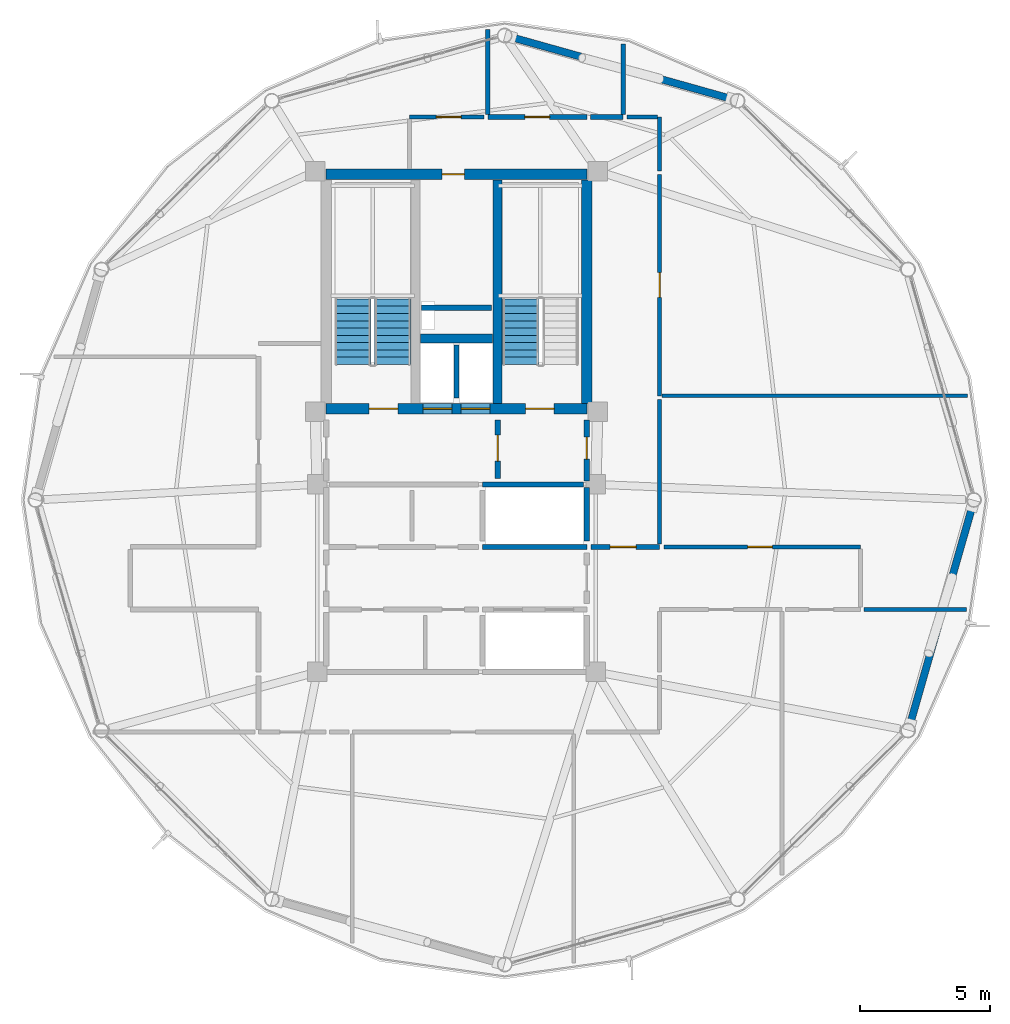
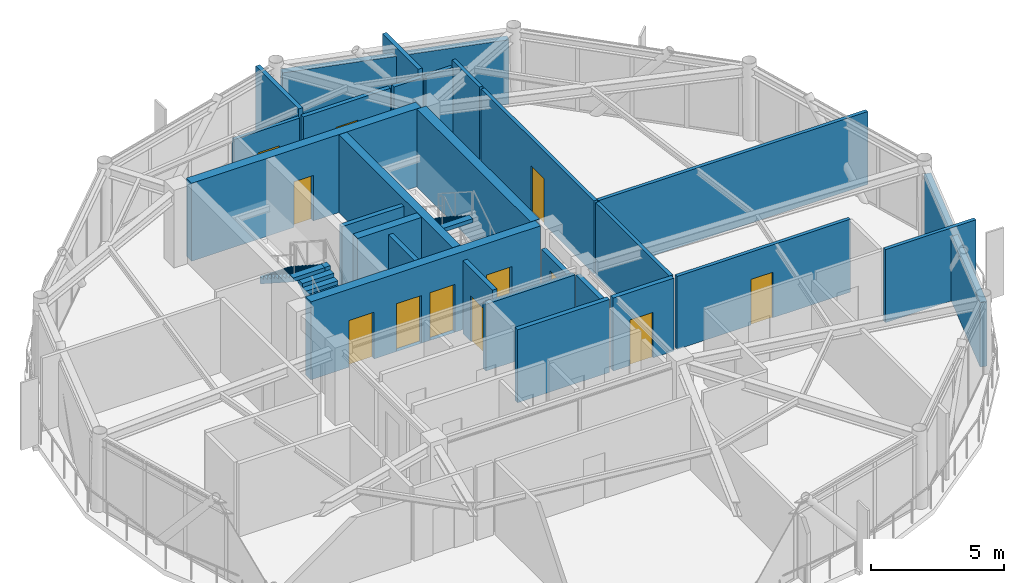
# One storey, part 20 of 24: 27 walls, 12 doors, 3 stair flights, 12 openings, 2 elements without a shape of their own.
"""IFC4 building model written with IfcOpenShell, lengths in metres."""

import ifcopenshell
import ifcopenshell.guid

model = None  # the IFC model being written
_history = None  # IfcOwnerHistory: only IFC2X3 demands one
_inside = {}  # id of a spatial element -> (the spatial element, [elements in it])
_under = {}  # id of a project, library or spatial element -> (it, [spatial elements below it])
_declared = {}  # id of a project -> (the project, [libraries it declares])
_typed = {}  # id of a type object -> (the type object, [elements of that type])
_made_of = {}  # id of a material, layer set ... -> (it, [elements and type objects made of it])


def new_model(schema):
    """Start an empty IFC model of exactly this schema.

    Asked for "IFC4X3", IfcOpenShell would pick the latest addendum, in which some entities
    have other attributes; the version numbers below select the first issue.
    IFC2X3 requires an IfcOwnerHistory on every rooted entity: one is made here for all.
    """
    global model, _history
    if schema == "IFC4X3":
        model = ifcopenshell.file(schema_version=(4, 3, 0, 0))
    else:
        model = ifcopenshell.file(schema=schema)
    _inside.clear()
    _under.clear()
    _declared.clear()
    _typed.clear()
    _made_of.clear()
    _history = None
    if model.schema == "IFC2X3":
        org = make("IfcOrganization", Name="unknown")
        user = make(
            "IfcPersonAndOrganization",
            ThePerson=make("IfcPerson", FamilyName="unknown"),
            TheOrganization=org,
        )
        app = make(
            "IfcApplication",
            ApplicationDeveloper=org,
            Version="unknown",
            ApplicationFullName="unknown",
            ApplicationIdentifier="unknown",
        )
        _history = make(
            "IfcOwnerHistory",
            OwningUser=user,
            OwningApplication=app,
            ChangeAction="ADDED",
            CreationDate=0,
        )
    return model


def make(cls, **values):
    """One entity of the class cls with the attributes given. An attribute that is None is left unset."""
    return model.create_entity(
        cls, **{name: value for name, value in values.items() if value is not None}
    )


def rooted(cls, **values):
    """An entity with a GlobalId (a new one), such as an element, a storey or a relation."""
    return make(cls, GlobalId=ifcopenshell.guid.new(), OwnerHistory=_history, **values)


def si_unit(unit_type, name, prefix=None):
    """IfcSIUnit, for example si_unit("LENGTHUNIT", "METRE", prefix="MILLI")."""
    return make("IfcSIUnit", UnitType=unit_type, Prefix=prefix, Name=name)


def assignment(units):
    """IfcUnitAssignment: the units of a project."""
    return None if units is None else make("IfcUnitAssignment", Units=units)


def point(xyz):
    """IfcCartesianPoint."""
    return None if xyz is None else make("IfcCartesianPoint", Coordinates=xyz)


def direction(xyz):
    """IfcDirection."""
    return None if xyz is None else make("IfcDirection", DirectionRatios=xyz)


def frame(location, z_axis=None, x_axis=None):
    """IfcAxis2Placement3D, a coordinate frame: its origin and axes. An axis left out is left unset."""
    return make(
        "IfcAxis2Placement3D",
        Location=point(location),
        Axis=direction(z_axis),
        RefDirection=direction(x_axis),
    )


def frame_2d(location, x_axis=None):
    """IfcAxis2Placement2D, a coordinate frame in the plane: its origin and x axis."""
    return make(
        "IfcAxis2Placement2D", Location=point(location), RefDirection=direction(x_axis)
    )


def origin():
    """The frame at (0, 0, 0) with its axes left unset."""
    return frame((0.0, 0.0, 0.0))


def place(relative_to, where):
    """IfcLocalPlacement: puts the frame where relative to a parent placement (None: the world)."""
    return make(
        "IfcLocalPlacement", PlacementRelTo=relative_to, RelativePlacement=where
    )


def context(
    kind, dimensions, precision=None, world=None, true_north=None, identifier=None
):
    """IfcGeometricRepresentationContext, for example the 3D "Model" context."""
    return make(
        "IfcGeometricRepresentationContext",
        ContextIdentifier=identifier,
        ContextType=kind,
        CoordinateSpaceDimension=dimensions,
        Precision=precision,
        WorldCoordinateSystem=world,
        TrueNorth=true_north,
    )


def subcontext(parent, identifier, kind, view, scale=None):
    """IfcGeometricRepresentationSubContext, for example "Body" below "Model"."""
    return make(
        "IfcGeometricRepresentationSubContext",
        ContextIdentifier=identifier,
        ContextType=kind,
        ParentContext=parent,
        TargetScale=scale,
        TargetView=view,
    )


def project(units=None, contexts=None):
    """IfcProject with its units and contexts."""
    return rooted(
        "IfcProject",
        Name="project",
        RepresentationContexts=contexts,
        UnitsInContext=assignment(units),
    )


def spatial(cls, under=None, at=None, **own):
    """A site, building, storey or space (cls), placed at a placement, below another one or the project."""
    s = rooted(cls, ObjectPlacement=at, **own)
    if under is not None:
        _under.setdefault(under.id(), (under, []))[1].append(s)
    return s


def polyline(points):
    """IfcPolyline through the points."""
    return make("IfcPolyline", Points=[point(p) for p in points])


def profile(cls, at=None, kind="AREA", **sizes):
    """A parametric profile (cls). Its sizes go by their IFC names, for example OverallWidth=200.0."""
    return make(cls, ProfileType=kind, Position=at, **sizes)


def rectangle(**sizes):
    """IfcRectangleProfileDef."""
    return profile("IfcRectangleProfileDef", **sizes)


def outline(outer, holes=None, kind="AREA"):
    """IfcArbitraryClosedProfileDef: a profile drawn as a closed curve; with holes, ...WithVoids."""
    if holes is None:
        return make("IfcArbitraryClosedProfileDef", ProfileType=kind, OuterCurve=outer)
    return make(
        "IfcArbitraryProfileDefWithVoids",
        ProfileType=kind,
        OuterCurve=outer,
        InnerCurves=holes,
    )


def extrude(swept, where, along, depth):
    """IfcExtrudedAreaSolid: the profile swept, set in the frame where, extruded along a direction by depth."""
    return make(
        "IfcExtrudedAreaSolid",
        SweptArea=swept,
        Position=where,
        ExtrudedDirection=direction(along),
        Depth=depth,
    )


def shape(context_of_items, identifier, shape_type, items):
    """IfcShapeRepresentation: the items that make up one representation, for example the "Body"."""
    return make(
        "IfcShapeRepresentation",
        ContextOfItems=context_of_items,
        RepresentationIdentifier=identifier,
        RepresentationType=shape_type,
        Items=items,
    )


def material(Name=None, Category=None):
    """IfcMaterial."""
    return make("IfcMaterial", Name=Name, Category=Category)


def layer(
    of_material, thickness, ventilated=None, Name=None, Category=None, Priority=None
):
    """IfcMaterialLayer: one layer of a wall or slab, of a material (None: an air gap)."""
    return make(
        "IfcMaterialLayer",
        Material=of_material,
        LayerThickness=thickness,
        IsVentilated=ventilated,
        Name=Name,
        Category=Category,
        Priority=Priority,
    )


def layer_set(layers, Name=None):
    """IfcMaterialLayerSet."""
    return make("IfcMaterialLayerSet", MaterialLayers=layers, LayerSetName=Name)


def made_of(thing, what):
    """Note that an element or type object is made of a material, layer set ...; save() writes the relation."""
    if what is not None:
        _made_of.setdefault(what.id(), (what, []))[1].append(thing)
    return thing


def type_object(cls, material=None, **own):
    """A type object (cls), such as IfcWallType, which elements share."""
    return made_of(rooted(cls, **own), material)


def element(
    cls,
    number,
    at=None,
    inside=None,
    cuts=None,
    type_object=None,
    material=None,
    context=None,
    identifier="Body",
    shape_type=None,
    held_by="IfcProductDefinitionShape",
    body=None,
    shapes=None,
    **own,
):
    """One element of the class cls, such as IfcWall. Its Tag is "e" and its number.

    at: its placement. inside: the storey or other place that contains it. cuts: it is an
    opening in that element (IfcRelVoidsElement). A single representation is given by context,
    identifier, shape_type and body (its items); several are given by shapes. held_by: the class
    of the entity that holds the representations. save() writes the other relations.
    """
    e = rooted(cls, Tag="e%d" % number, ObjectPlacement=at, **own)
    if body is not None:
        shapes = [shape(context, identifier, shape_type, body)]
    if shapes is not None:
        e.Representation = make(held_by, Representations=shapes)
    if inside is not None:
        _inside.setdefault(inside.id(), (inside, []))[1].append(e)
    if cuts is not None:
        rooted(
            "IfcRelVoidsElement", RelatingBuildingElement=cuts, RelatedOpeningElement=e
        )
    if type_object is not None:
        _typed.setdefault(type_object.id(), (type_object, []))[1].append(e)
    return made_of(e, material)


def fill(opening, filler):
    """IfcRelFillsElement: the door or window that sits in an opening."""
    return rooted(
        "IfcRelFillsElement",
        RelatingOpeningElement=opening,
        RelatedBuildingElement=filler,
    )


def aggregate(whole, parts):
    """IfcRelAggregates: a whole, such as a stair, and the parts it consists of."""
    return rooted("IfcRelAggregates", RelatingObject=whole, RelatedObjects=parts)


def save(model, path):
    """Write the relations noted so far, then the file.

    IfcRelAggregates (storeys below a building ...), IfcRelContainedInSpatialStructure (elements
    in a storey), IfcRelDefinesByType, IfcRelAssociatesMaterial and IfcRelDeclares: one each for
    every whole, place, type object, material and project.
    """
    for whole, parts in _under.values():
        aggregate(whole, parts)
    for where, things in _inside.values():
        rooted(
            "IfcRelContainedInSpatialStructure",
            RelatedElements=things,
            RelatingStructure=where,
        )
    for kind, things in _typed.values():
        rooted("IfcRelDefinesByType", RelatedObjects=things, RelatingType=kind)
    for what, things in _made_of.values():
        rooted("IfcRelAssociatesMaterial", RelatedObjects=things, RelatingMaterial=what)
    for by, libraries in _declared.values():
        rooted("IfcRelDeclares", RelatingContext=by, RelatedDefinitions=libraries)
    model.write(path)


model = new_model("IFC4")

# Units and contexts
model_context = context("Model", 3, precision=1e-05, world=origin(), true_north=direction((0.0, 1.0)))
body_context = subcontext(model_context, "Body", "Model", "MODEL_VIEW")
ifc_project = project(units=[si_unit("LENGTHUNIT", "METRE"), si_unit("AREAUNIT", "SQUARE_METRE"), si_unit("VOLUMEUNIT", "CUBIC_METRE"), si_unit("PLANEANGLEUNIT", "RADIAN"), si_unit("MASSUNIT", "GRAM", prefix="KILO")], contexts=[model_context])

# Site, building, storey
site_placement = place(None, origin())
site = spatial("IfcSite", under=ifc_project, at=site_placement, CompositionType="ELEMENT")
building_placement = place(site_placement, origin())
building = spatial("IfcBuilding", under=site, at=building_placement, Name="Varnakorn Sky Granary", CompositionType="ELEMENT")
storey_placement = place(building_placement, frame((0.0, 0.0, 274.199951171875)))
storey = spatial("IfcBuildingStorey", under=building, at=storey_placement, Name="L70", CompositionType="ELEMENT", Elevation=274.199951171875)

# Walls
ifc_material_1 = material(Name="Concrete C50/60", Category="concrete")
ifc_layer_1 = layer(ifc_material_1, 0.35009765625, Name="Concrete C50/60")
ifc_layer_set_1 = layer_set([ifc_layer_1], Name="Concrete C50/60")
wall_type_1 = type_object("IfcWallType", Name="WT-CW-INT-350", PredefinedType="SHEAR", material=ifc_layer_set_1)
wall_1_placement = place(storey_placement, frame((4.580078125, 3.7099609375, 0.0), z_axis=(0.0, 0.0, 1.0), x_axis=(0.0, 1.0, 0.0)))
element("IfcWall", 1, at=wall_1_placement, inside=storey, type_object=wall_type_1, Name="Stair ST-2 Core Wall L70", PredefinedType="SHEAR", context=body_context, shape_type="SweptSolid", body=[
    extrude(rectangle(XDim=8.580078125, YDim=0.35009765625, at=frame_2d((4.2900390625, 0.0))), origin(), (0.0, 0.0, 1.0), 3.592041015625),
])
wall_2_placement = place(storey_placement, frame((1.610107421875, 6.199951171875, 0.0), z_axis=(0.0, 0.0, 1.0), x_axis=(1.0, 0.0, 0.0)))
element("IfcWall", 2, at=wall_2_placement, inside=storey, type_object=wall_type_1, Name="Core Lift Shaft Cross Wall L70", PredefinedType="SHEAR", context=body_context, shape_type="SweptSolid", body=[
    extrude(rectangle(XDim=2.77978515625, YDim=0.35009765625, at=frame_2d((1.389892578125, 0.0))), origin(), (0.0, 0.0, 1.0), 3.592041015625),
])

# Wall, openings, doors
ifc_layer_2 = layer(ifc_material_1, 0.39990234375, Name="Concrete C50/60")
ifc_layer_set_2 = layer_set([ifc_layer_2], Name="Concrete C50/60")
wall_type_2 = type_object("IfcWallType", Name="WT-CW-SHEAR-400", PredefinedType="SHEAR", material=ifc_layer_set_2)
wall_3_placement = place(storey_placement, frame((-2.0, 3.5, 0.0), z_axis=(0.0, 0.0, 1.0), x_axis=(1.0, 0.0, 0.0)))
wall_3 = element("IfcWall", 3, at=wall_3_placement, inside=storey, type_object=wall_type_2, Name="Core South Shear Wall L70", PredefinedType="SHEAR", context=body_context, shape_type="SweptSolid", body=[
    extrude(rectangle(XDim=10.0, YDim=0.39990234375, at=frame_2d((5.0, 0.0))), origin(), (0.0, 0.0, 1.0), 3.592041015625),
])
opening_1_placement = place(wall_3_placement, frame((1.64990234375, 0.0, 0.0)))
opening_1 = element("IfcOpeningElement", 4, at=opening_1_placement, cuts=wall_3, Name="Opening FD-90", PredefinedType="OPENING", context=body_context, shape_type="SweptSolid", body=[
    extrude(rectangle(XDim=1.10009765625, YDim=2.14990234375, at=frame_2d((0.550048828125, 1.074951171875))), frame((0.0, 0.2099609375, 0.0), z_axis=(0.0, -1.0, 0.0), x_axis=(1.0, 0.0, 0.0)), (0.0, 0.0, 1.0), 0.419921875),
])
opening_2_placement = place(wall_3_placement, frame((7.64990234375, 0.0, 0.0)))
opening_2 = element("IfcOpeningElement", 5, at=opening_2_placement, cuts=wall_3, Name="Opening FD-90", PredefinedType="OPENING", context=body_context, shape_type="SweptSolid", body=[
    extrude(rectangle(XDim=1.10009765625, YDim=2.14990234375, at=frame_2d((0.550048828125, 1.074951171875))), frame((0.0, 0.2099609375, 0.0), z_axis=(0.0, -1.0, 0.0), x_axis=(1.0, 0.0, 0.0)), (0.0, 0.0, 1.0), 0.419921875),
])
opening_3_placement = place(wall_3_placement, frame((3.719970703125, 0.0, 0.0)))
opening_3 = element("IfcOpeningElement", 6, at=opening_3_placement, cuts=wall_3, Name="Opening LD-01", PredefinedType="OPENING", context=body_context, shape_type="SweptSolid", body=[
    extrude(rectangle(XDim=1.10009765625, YDim=2.199951171875, at=frame_2d((0.550048828125, 1.10009765625))), frame((0.0, 0.2099609375, 0.0), z_axis=(0.0, -1.0, 0.0), x_axis=(1.0, 0.0, 0.0)), (0.0, 0.0, 1.0), 0.419921875),
])
opening_4_placement = place(wall_3_placement, frame((5.179931640625, 0.0, 0.0)))
opening_4 = element("IfcOpeningElement", 7, at=opening_4_placement, cuts=wall_3, Name="Opening LD-01", PredefinedType="OPENING", context=body_context, shape_type="SweptSolid", body=[
    extrude(rectangle(XDim=1.10009765625, YDim=2.199951171875, at=frame_2d((0.550048828125, 1.10009765625))), frame((0.0, 0.2099609375, 0.0), z_axis=(0.0, -1.0, 0.0), x_axis=(1.0, 0.0, 0.0)), (0.0, 0.0, 1.0), 0.419921875),
])
ifc_material_2 = material(Name="Brushed Bronze Stainless Steel", Category="steel")
door_type_1 = type_object("IfcDoorType", Name="DR-LD-1100", OperationType="DOUBLE_DOOR_SLIDING", PredefinedType="DOOR", material=ifc_material_2)
door_1_placement = place(opening_3_placement, origin())
door_1 = element("IfcDoor", 8, at=door_1_placement, inside=storey, type_object=door_type_1, Name="Firefighting Lift FFL-1 Landing Door L70", OperationType="DOUBLE_DOOR_SLIDING", OverallHeight=2.199951171875, OverallWidth=1.10009765625, PredefinedType="DOOR", context=body_context, shape_type="SweptSolid", body=[
    extrude(rectangle(XDim=1.10009765625, YDim=2.199951171875, at=frame_2d((0.550048828125, 1.10009765625))), frame((0.0, 0.02490234375, 0.0), z_axis=(0.0, -1.0, 0.0), x_axis=(1.0, 0.0, 0.0)), (0.0, 0.0, 1.0), 0.050048828125),
])
fill(opening_3, door_1)
door_2_placement = place(opening_4_placement, origin())
door_2 = element("IfcDoor", 9, at=door_2_placement, inside=storey, type_object=door_type_1, Name="Firefighting Lift FFL-2 Landing Door L70", OperationType="DOUBLE_DOOR_SLIDING", OverallHeight=2.199951171875, OverallWidth=1.10009765625, PredefinedType="DOOR", context=body_context, shape_type="SweptSolid", body=[
    extrude(rectangle(XDim=1.10009765625, YDim=2.199951171875, at=frame_2d((0.550048828125, 1.10009765625))), frame((0.0, 0.02490234375, 0.0), z_axis=(0.0, -1.0, 0.0), x_axis=(1.0, 0.0, 0.0)), (0.0, 0.0, 1.0), 0.050048828125),
])
fill(opening_4, door_2)
ifc_material_3 = material(Name="Galvanised Painted Steel Leaf", Category="steel")
door_type_2 = type_object("IfcDoorType", Name="DR-STAIR-1100", OperationType="NOTDEFINED", PredefinedType="DOOR", material=ifc_material_3)
door_3_placement = place(opening_1_placement, origin())
door_3 = element("IfcDoor", 10, at=door_3_placement, inside=storey, type_object=door_type_2, Name="Stair ST-1 Protected Fire Door L70", OperationType="SINGLE_SWING_LEFT", OverallHeight=2.14990234375, OverallWidth=1.10009765625, PredefinedType="DOOR", context=body_context, shape_type="SweptSolid", body=[
    extrude(rectangle(XDim=1.10009765625, YDim=2.14990234375, at=frame_2d((0.550048828125, 1.074951171875))), frame((0.0, 0.02490234375, 0.0), z_axis=(0.0, -1.0, 0.0), x_axis=(1.0, 0.0, 0.0)), (0.0, 0.0, 1.0), 0.050048828125),
])
fill(opening_1, door_3)
door_4_placement = place(opening_2_placement, origin())
door_4 = element("IfcDoor", 11, at=door_4_placement, inside=storey, type_object=door_type_2, Name="Stair ST-2 Protected Fire Door L70", OperationType="SINGLE_SWING_RIGHT", OverallHeight=2.14990234375, OverallWidth=1.10009765625, PredefinedType="DOOR", context=body_context, shape_type="SweptSolid", body=[
    extrude(rectangle(XDim=1.10009765625, YDim=2.14990234375, at=frame_2d((0.550048828125, 1.074951171875))), frame((0.0, 0.02490234375, 0.0), z_axis=(0.0, -1.0, 0.0), x_axis=(1.0, 0.0, 0.0)), (0.0, 0.0, 1.0), 0.050048828125),
])
fill(opening_2, door_4)

# Wall, opening, door
wall_4_placement = place(storey_placement, frame((-2.0, 12.5, 0.0), z_axis=(0.0, 0.0, 1.0), x_axis=(1.0, 0.0, 0.0)))
wall_4 = element("IfcWall", 12, at=wall_4_placement, inside=storey, type_object=wall_type_2, Name="Core North Shear Wall L70", PredefinedType="SHEAR", context=body_context, shape_type="SweptSolid", body=[
    extrude(rectangle(XDim=10.0, YDim=0.39990234375, at=frame_2d((5.0, 0.0))), origin(), (0.0, 0.0, 1.0), 3.592041015625),
])
opening_5_placement = place(wall_4_placement, frame((4.449951171875, 0.0, 0.0)))
opening_5 = element("IfcOpeningElement", 13, at=opening_5_placement, cuts=wall_4, Name="Opening FD-60N", PredefinedType="OPENING", context=body_context, shape_type="SweptSolid", body=[
    extrude(rectangle(XDim=0.85009765625, YDim=2.10009765625, at=frame_2d((0.425048828125, 1.050048828125))), frame((0.0, 0.2099609375, 0.0), z_axis=(0.0, -1.0, 0.0), x_axis=(1.0, 0.0, 0.0)), (0.0, 0.0, 1.0), 0.419921875),
])
ifc_material_4 = material(Name="Acoustic Timber Fire Leaf", Category="wood")
door_type_3 = type_object("IfcDoorType", Name="DR-FD60-850", OperationType="NOTDEFINED", PredefinedType="DOOR", material=ifc_material_4)
door_5_placement = place(opening_5_placement, origin())
door_5 = element("IfcDoor", 14, at=door_5_placement, inside=storey, type_object=door_type_3, Name="Core North Service Door L70", OperationType="SINGLE_SWING_RIGHT", OverallHeight=2.10009765625, OverallWidth=0.85009765625, PredefinedType="DOOR", context=body_context, shape_type="SweptSolid", body=[
    extrude(rectangle(XDim=0.85009765625, YDim=2.10009765625, at=frame_2d((0.425048828125, 1.050048828125))), frame((0.0, 0.02490234375, 0.0), z_axis=(0.0, -1.0, 0.0), x_axis=(1.0, 0.0, 0.0)), (0.0, 0.0, 1.0), 0.050048828125),
])
fill(opening_5, door_5)

# Walls
wall_5_placement = place(storey_placement, frame((8.0, 3.7099609375, 0.0), z_axis=(0.0, 0.0, 1.0), x_axis=(0.0, 1.0, 0.0)))
element("IfcWall", 15, at=wall_5_placement, inside=storey, type_object=wall_type_2, Name="Core East Shear Wall L70", PredefinedType="SHEAR", context=body_context, shape_type="SweptSolid", body=[
    extrude(rectangle(XDim=8.580078125, YDim=0.39990234375, at=frame_2d((4.2900390625, 0.0))), origin(), (0.0, 0.0, 1.0), 3.592041015625),
])
ifc_material_5 = material(Name="Precast concrete C40/50", Category="concrete")
ifc_layer_3 = layer(ifc_material_5, 0.280029296875, Name="Precast concrete C40/50")
ifc_layer_set_3 = layer_set([ifc_layer_3], Name="Precast concrete C40/50")
wall_type_3 = type_object("IfcWallType", Name="WT-EW-CRN-280", PredefinedType="SOLIDWALL", material=ifc_layer_set_3)
wall_6_placement = place(storey_placement, frame((5.07568359375, 17.771728515625, 0.0), z_axis=(0.0, 0.0, 1.0), x_axis=(0.962896996619, -0.269869179237, 0.0)))
element("IfcWall", 16, at=wall_6_placement, inside=storey, type_object=wall_type_3, Name="Agritech Insulated Precast Facade Wall L70-P03", PredefinedType="SOLIDWALL", context=body_context, shape_type="SweptSolid", body=[
    extrude(rectangle(XDim=8.818603515625, YDim=0.280029296875, at=frame_2d((4.4091796875, 0.0))), origin(), (0.0, 0.0, 1.0), 2.969970703125),
])
wall_7_placement = place(storey_placement, frame((22.806396484375, -0.2255859375, 0.0), z_axis=(0.0, 0.0, 1.0), x_axis=(-0.274975809959, -0.961451144852, 0.0)))
element("IfcWall", 17, at=wall_7_placement, inside=storey, type_object=wall_type_3, Name="Agritech Insulated Precast Facade Wall L70-P12", PredefinedType="SOLIDWALL", context=body_context, shape_type="SweptSolid", body=[
    extrude(rectangle(XDim=8.735595703125, YDim=0.280029296875, at=frame_2d((4.36767578125, 0.0))), origin(), (0.0, 0.0, 1.0), 2.969970703125),
])

# Wall, opening, door
ifc_material_6 = material(Name="Autoclaved Aerated Concrete Blockwork", Category="masonry")
ifc_layer_4 = layer(ifc_material_6, 0.199951171875, Name="Autoclaved Aerated Concrete Blockwork")
ifc_layer_set_4 = layer_set([ifc_layer_4], Name="Autoclaved Aerated Concrete Blockwork")
wall_type_4 = type_object("IfcWallType", Name="WT-FIRE-200", PredefinedType="MOVABLE", material=ifc_layer_set_4)
wall_8_placement = place(storey_placement, frame((4.580078125, 0.830078125, 0.0), z_axis=(0.0, 0.0, 1.0), x_axis=(0.0, 1.0, 0.0)))
wall_8 = element("IfcWall", 18, at=wall_8_placement, inside=storey, type_object=wall_type_4, Name="Interior Partition Wall L70-011", PredefinedType="MOVABLE", context=body_context, shape_type="SweptSolid", body=[
    extrude(rectangle(XDim=2.239990234375, YDim=0.199951171875, at=frame_2d((1.1201171875, 0.0))), origin(), (0.0, 0.0, 1.0), 3.360107421875),
])
opening_6_placement = place(wall_8_placement, frame((0.659912109375, 0.0, 0.0)))
opening_6 = element("IfcOpeningElement", 19, at=opening_6_placement, cuts=wall_8, Name="Opening FD-60", PredefinedType="OPENING", context=body_context, shape_type="SweptSolid", body=[
    extrude(rectangle(XDim=1.0, YDim=2.10009765625, at=frame_2d((0.5, 1.050048828125))), frame((0.0, 0.10986328125, 0.0), z_axis=(0.0, -1.0, 0.0), x_axis=(1.0, 0.0, 0.0)), (0.0, 0.0, 1.0), 0.219970703125),
])
door_type_4 = type_object("IfcDoorType", Name="DR-FD60-1000", OperationType="NOTDEFINED", PredefinedType="DOOR", material=ifc_material_4)
door_6_placement = place(opening_6_placement, origin())
door_6 = element("IfcDoor", 20, at=door_6_placement, inside=storey, type_object=door_type_4, Name="Interior Door L70-011-1", OperationType="SINGLE_SWING_RIGHT", OverallHeight=2.10009765625, OverallWidth=1.0, PredefinedType="DOOR", context=body_context, shape_type="SweptSolid", body=[
    extrude(rectangle(XDim=1.0, YDim=2.10009765625, at=frame_2d((0.5, 1.050048828125))), frame((0.0, 0.02490234375, 0.0), z_axis=(0.0, -1.0, 0.0), x_axis=(1.0, 0.0, 0.0)), (0.0, 0.0, 1.0), 0.050048828125),
])
fill(opening_6, door_6)

wall_9_placement = place(storey_placement, frame((8.0, 0.719970703125, 0.0), z_axis=(0.0, 0.0, 1.0), x_axis=(0.0, 1.0, 0.0)))
wall_9 = element("IfcWall", 21, at=wall_9_placement, inside=storey, type_object=wall_type_4, Name="Interior Partition Wall L70-013", PredefinedType="MOVABLE", context=body_context, shape_type="SweptSolid", body=[
    extrude(rectangle(XDim=2.35009765625, YDim=0.199951171875, at=frame_2d((1.175048828125, 0.0))), origin(), (0.0, 0.0, 1.0), 2.692138671875),
])
opening_7_placement = place(wall_9_placement, frame((0.844970703125, 0.0, 0.0)))
opening_7 = element("IfcOpeningElement", 22, at=opening_7_placement, cuts=wall_9, Name="Opening FD-60N", PredefinedType="OPENING", context=body_context, shape_type="SweptSolid", body=[
    extrude(rectangle(XDim=0.85009765625, YDim=2.10009765625, at=frame_2d((0.425048828125, 1.050048828125))), frame((0.0, 0.10986328125, 0.0), z_axis=(0.0, -1.0, 0.0), x_axis=(1.0, 0.0, 0.0)), (0.0, 0.0, 1.0), 0.219970703125),
])
door_7_placement = place(opening_7_placement, origin())
door_7 = element("IfcDoor", 23, at=door_7_placement, inside=storey, type_object=door_type_3, Name="Interior Door L70-013-1", OperationType="SINGLE_SWING_RIGHT", OverallHeight=2.10009765625, OverallWidth=0.85009765625, PredefinedType="DOOR", context=body_context, shape_type="SweptSolid", body=[
    extrude(rectangle(XDim=0.85009765625, YDim=2.10009765625, at=frame_2d((0.425048828125, 1.050048828125))), frame((0.0, 0.02490234375, 0.0), z_axis=(0.0, -1.0, 0.0), x_axis=(1.0, 0.0, 0.0)), (0.0, 0.0, 1.0), 0.050048828125),
])
fill(opening_7, door_7)

wall_10_placement = place(storey_placement, frame((8.159912109375, -1.800048828125, 0.0), z_axis=(0.0, 0.0, 1.0), x_axis=(1.0, 0.0, 0.0)))
wall_10 = element("IfcWall", 24, at=wall_10_placement, inside=storey, type_object=wall_type_4, Name="Interior Partition Wall L70-018", PredefinedType="MOVABLE", context=body_context, shape_type="SweptSolid", body=[
    extrude(rectangle(XDim=2.64013671875, YDim=0.199951171875, at=frame_2d((1.320068359375, 0.0))), origin(), (0.0, 0.0, 1.0), 3.360107421875),
])
opening_8_placement = place(wall_10_placement, frame((0.739990234375, 0.0, 0.0)))
opening_8 = element("IfcOpeningElement", 25, at=opening_8_placement, cuts=wall_10, Name="Opening FD-60", PredefinedType="OPENING", context=body_context, shape_type="SweptSolid", body=[
    extrude(rectangle(XDim=1.0, YDim=2.10009765625, at=frame_2d((0.5, 1.050048828125))), frame((0.0, 0.10986328125, 0.0), z_axis=(0.0, -1.0, 0.0), x_axis=(1.0, 0.0, 0.0)), (0.0, 0.0, 1.0), 0.219970703125),
])
door_8_placement = place(opening_8_placement, origin())
door_8 = element("IfcDoor", 26, at=door_8_placement, inside=storey, type_object=door_type_4, Name="Interior Door L70-018-1", OperationType="SINGLE_SWING_LEFT", OverallHeight=2.10009765625, OverallWidth=1.0, PredefinedType="DOOR", context=body_context, shape_type="SweptSolid", body=[
    extrude(rectangle(XDim=1.0, YDim=2.10009765625, at=frame_2d((0.5, 1.050048828125))), frame((0.0, 0.02490234375, 0.0), z_axis=(0.0, -1.0, 0.0), x_axis=(1.0, 0.0, 0.0)), (0.0, 0.0, 1.0), 0.050048828125),
])
fill(opening_8, door_8)

ifc_material_7 = material(Name="Gypsum Plasterboard on Steel Stud", Category="steel")
ifc_layer_5 = layer(ifc_material_7, 0.14990234375, Name="Gypsum Plasterboard on Steel Stud")
ifc_layer_set_5 = layer_set([ifc_layer_5], Name="Gypsum Plasterboard on Steel Stud")
wall_type_5 = type_object("IfcWallType", Name="WT-PART-150", PredefinedType="PARTITIONING", material=ifc_layer_set_5)
wall_11_placement = place(storey_placement, frame((4.050048828125, 14.699951171875, 0.0), z_axis=(0.0, 0.0, 1.0), x_axis=(-1.0, 0.0, 0.0)))
wall_11 = element("IfcWall", 27, at=wall_11_placement, inside=storey, type_object=wall_type_5, Name="Interior Partition Wall L70-025", PredefinedType="PARTITIONING", context=body_context, shape_type="SweptSolid", body=[
    extrude(rectangle(XDim=2.85009765625, YDim=0.14990234375, at=frame_2d((1.425048828125, 0.0))), origin(), (0.0, 0.0, 1.0), 3.072021484375),
])
opening_9_placement = place(wall_11_placement, frame((0.875, 0.0, 0.0)))
opening_9 = element("IfcOpeningElement", 28, at=opening_9_placement, cuts=wall_11, Name="Opening ID-95", PredefinedType="OPENING", context=body_context, shape_type="SweptSolid", body=[
    extrude(rectangle(XDim=0.949951171875, YDim=2.10009765625, at=frame_2d((0.47509765625, 1.050048828125))), frame((0.0, 0.0849609375, 0.0), z_axis=(0.0, -1.0, 0.0), x_axis=(1.0, 0.0, 0.0)), (0.0, 0.0, 1.0), 0.169921875),
])
ifc_material_8 = material(Name="Solid-Core Teak Veneer Leaf", Category="timber")
door_type_5 = type_object("IfcDoorType", Name="DR-INT-950", OperationType="NOTDEFINED", PredefinedType="DOOR", material=ifc_material_8)
door_9_placement = place(opening_9_placement, origin())
door_9 = element("IfcDoor", 29, at=door_9_placement, inside=storey, type_object=door_type_5, Name="Interior Door L70-025-1", OperationType="SINGLE_SWING_RIGHT", OverallHeight=2.10009765625, OverallWidth=0.949951171875, PredefinedType="DOOR", context=body_context, shape_type="SweptSolid", body=[
    extrude(rectangle(XDim=0.949951171875, YDim=2.10009765625, at=frame_2d((0.47509765625, 1.050048828125))), frame((0.0, 0.02490234375, 0.0), z_axis=(0.0, -1.0, 0.0), x_axis=(1.0, 0.0, 0.0)), (0.0, 0.0, 1.0), 0.050048828125),
])
fill(opening_9, door_9)

wall_12_placement = place(storey_placement, frame((18.5, -1.800048828125, 0.0), z_axis=(0.0, 0.0, 1.0), x_axis=(-1.0, 0.0, 0.0)))
wall_12 = element("IfcWall", 30, at=wall_12_placement, inside=storey, type_object=wall_type_5, Name="Interior Partition Wall L70-026", PredefinedType="PARTITIONING", context=body_context, shape_type="SweptSolid", body=[
    extrude(rectangle(XDim=7.5400390625, YDim=0.14990234375, at=frame_2d((3.77001953125, 0.0))), origin(), (0.0, 0.0, 1.0), 3.360107421875),
])
opening_10_placement = place(wall_12_placement, frame((3.375, 0.0, 0.0)))
opening_10 = element("IfcOpeningElement", 31, at=opening_10_placement, cuts=wall_12, Name="Opening ID-95", PredefinedType="OPENING", context=body_context, shape_type="SweptSolid", body=[
    extrude(rectangle(XDim=0.949951171875, YDim=2.10009765625, at=frame_2d((0.47509765625, 1.050048828125))), frame((0.0, 0.0849609375, 0.0), z_axis=(0.0, -1.0, 0.0), x_axis=(1.0, 0.0, 0.0)), (0.0, 0.0, 1.0), 0.169921875),
])
door_10_placement = place(opening_10_placement, origin())
door_10 = element("IfcDoor", 32, at=door_10_placement, inside=storey, type_object=door_type_5, Name="Interior Door L70-026-1", OperationType="SINGLE_SWING_LEFT", OverallHeight=2.10009765625, OverallWidth=0.949951171875, PredefinedType="DOOR", context=body_context, shape_type="SweptSolid", body=[
    extrude(rectangle(XDim=0.949951171875, YDim=2.10009765625, at=frame_2d((0.47509765625, 1.050048828125))), frame((0.0, 0.02490234375, 0.0), z_axis=(0.0, -1.0, 0.0), x_axis=(1.0, 0.0, 0.0)), (0.0, 0.0, 1.0), 0.050048828125),
])
fill(opening_10, door_10)

wall_13_placement = place(storey_placement, frame((10.800048828125, 4.0, 0.0), z_axis=(0.0, 0.0, 1.0), x_axis=(0.0, 1.0, 0.0)))
wall_13 = element("IfcWall", 33, at=wall_13_placement, inside=storey, type_object=wall_type_5, Name="Interior Partition Wall L70-027", PredefinedType="PARTITIONING", context=body_context, shape_type="SweptSolid", body=[
    extrude(rectangle(XDim=8.5, YDim=0.14990234375, at=frame_2d((4.25, 0.0))), origin(), (0.0, 0.0, 1.0), 3.360107421875),
])
opening_11_placement = place(wall_13_placement, frame((3.77490234375, 0.0, 0.0)))
opening_11 = element("IfcOpeningElement", 34, at=opening_11_placement, cuts=wall_13, Name="Opening ID-95", PredefinedType="OPENING", context=body_context, shape_type="SweptSolid", body=[
    extrude(rectangle(XDim=0.949951171875, YDim=2.10009765625, at=frame_2d((0.47509765625, 1.050048828125))), frame((0.0, 0.0849609375, 0.0), z_axis=(0.0, -1.0, 0.0), x_axis=(1.0, 0.0, 0.0)), (0.0, 0.0, 1.0), 0.169921875),
])
door_11_placement = place(opening_11_placement, origin())
door_11 = element("IfcDoor", 35, at=door_11_placement, inside=storey, type_object=door_type_5, Name="Interior Door L70-027-1", OperationType="SINGLE_SWING_RIGHT", OverallHeight=2.10009765625, OverallWidth=0.949951171875, PredefinedType="DOOR", context=body_context, shape_type="SweptSolid", body=[
    extrude(rectangle(XDim=0.949951171875, YDim=2.10009765625, at=frame_2d((0.47509765625, 1.050048828125))), frame((0.0, 0.02490234375, 0.0), z_axis=(0.0, -1.0, 0.0), x_axis=(1.0, 0.0, 0.0)), (0.0, 0.0, 1.0), 0.050048828125),
])
fill(opening_11, door_11)

# Walls
wall_14_placement = place(storey_placement, frame((18.635009765625, -4.199951171875, 0.0), z_axis=(0.0, 0.0, 1.0), x_axis=(1.0, 0.0, 0.0)))
element("IfcWall", 36, at=wall_14_placement, inside=storey, type_object=wall_type_5, Name="Interior Partition Wall L70-043", PredefinedType="PARTITIONING", context=body_context, shape_type="SweptSolid", body=[
    extrude(rectangle(XDim=3.947021484375, YDim=0.14990234375, at=frame_2d((1.9736328125, 0.0))), origin(), (0.0, 0.0, 1.0), 3.360107421875),
])
wall_15_placement = place(storey_placement, frame((10.800048828125, -1.68994140625, 0.0), z_axis=(0.0, 0.0, 1.0), x_axis=(0.0, 1.0, 0.0)))
element("IfcWall", 37, at=wall_15_placement, inside=storey, type_object=wall_type_5, Name="Interior Partition Wall L70-054", PredefinedType="PARTITIONING", context=body_context, shape_type="SweptSolid", body=[
    extrude(rectangle(XDim=5.554931640625, YDim=0.14990234375, at=frame_2d((2.77734375, 0.0))), origin(), (0.0, 0.0, 1.0), 3.360107421875),
])
wall_16_placement = place(storey_placement, frame((10.885009765625, 4.0, 0.0), z_axis=(0.0, 0.0, 1.0), x_axis=(1.0, 0.0, 0.0)))
element("IfcWall", 38, at=wall_16_placement, inside=storey, type_object=wall_type_5, Name="Interior Partition Wall L70-055", PredefinedType="PARTITIONING", context=body_context, shape_type="SweptSolid", body=[
    extrude(rectangle(XDim=11.72607421875, YDim=0.14990234375, at=frame_2d((5.863037109375, 0.0))), origin(), (0.0, 0.0, 1.0), 3.360107421875),
])
wall_17_placement = place(storey_placement, frame((10.800048828125, 12.635009765625, 0.0), z_axis=(0.0, 0.0, 1.0), x_axis=(0.0, 1.0, 0.0)))
element("IfcWall", 39, at=wall_17_placement, inside=storey, type_object=wall_type_5, Name="Interior Partition Wall L70-056", PredefinedType="PARTITIONING", context=body_context, shape_type="SweptSolid", body=[
    extrude(rectangle(XDim=2.06494140625, YDim=0.14990234375, at=frame_2d((1.032470703125, 0.0))), origin(), (0.0, 0.0, 1.0), 3.360107421875),
])
wall_18_placement = place(storey_placement, frame((10.715087890625, 14.699951171875, 0.0), z_axis=(0.0, 0.0, 1.0), x_axis=(-1.0, 0.0, 0.0)))
element("IfcWall", 40, at=wall_18_placement, inside=storey, type_object=wall_type_5, Name="Interior Partition Wall L70-057", PredefinedType="PARTITIONING", context=body_context, shape_type="SweptSolid", body=[
    extrude(rectangle(XDim=1.1650390625, YDim=0.14990234375, at=frame_2d((0.58251953125, 0.0))), origin(), (0.0, 0.0, 1.0), 3.072021484375),
])

# Wall, opening, door
ifc_material_9 = material(Name="Moisture-Resistant Gypsum on Stud", Category="gypsum")
ifc_layer_6 = layer(ifc_material_9, 0.179931640625, Name="Moisture-Resistant Gypsum on Stud")
ifc_layer_set_6 = layer_set([ifc_layer_6], Name="Moisture-Resistant Gypsum on Stud")
wall_type_6 = type_object("IfcWallType", Name="WT-PLUMB-180", PredefinedType="PLUMBINGWALL", material=ifc_layer_set_6)
wall_19_placement = place(storey_placement, frame((8.0, 14.699951171875, 0.0), z_axis=(0.0, 0.0, 1.0), x_axis=(-1.0, 0.0, 0.0)))
wall_19 = element("IfcWall", 41, at=wall_19_placement, inside=storey, type_object=wall_type_6, Name="Interior Partition Wall L70-019", PredefinedType="PLUMBINGWALL", context=body_context, shape_type="SweptSolid", body=[
    extrude(rectangle(XDim=3.800048828125, YDim=0.179931640625, at=frame_2d((1.89990234375, 0.0))), origin(), (0.0, 0.0, 1.0), 3.072021484375),
])
opening_12_placement = place(wall_19_placement, frame((1.425048828125, 0.0, 0.0)))
opening_12 = element("IfcOpeningElement", 42, at=opening_12_placement, cuts=wall_19, Name="Opening ID-95", PredefinedType="OPENING", context=body_context, shape_type="SweptSolid", body=[
    extrude(rectangle(XDim=0.949951171875, YDim=2.10009765625, at=frame_2d((0.47509765625, 1.050048828125))), frame((0.0, 0.10009765625, 0.0), z_axis=(0.0, -1.0, 0.0), x_axis=(1.0, 0.0, 0.0)), (0.0, 0.0, 1.0), 0.199951171875),
])
door_12_placement = place(opening_12_placement, origin())
door_12 = element("IfcDoor", 43, at=door_12_placement, inside=storey, type_object=door_type_5, Name="Interior Door L70-019-1", OperationType="SINGLE_SWING_RIGHT", OverallHeight=2.10009765625, OverallWidth=0.949951171875, PredefinedType="DOOR", context=body_context, shape_type="SweptSolid", body=[
    extrude(rectangle(XDim=0.949951171875, YDim=2.10009765625, at=frame_2d((0.47509765625, 1.050048828125))), frame((0.0, 0.02490234375, 0.0), z_axis=(0.0, -1.0, 0.0), x_axis=(1.0, 0.0, 0.0)), (0.0, 0.0, 1.0), 0.050048828125),
])
fill(opening_12, door_12)

# Walls
wall_20_placement = place(storey_placement, frame((9.39990234375, 14.699951171875, 0.0), z_axis=(0.0, 0.0, 1.0), x_axis=(-1.0, 0.0, 0.0)))
element("IfcWall", 44, at=wall_20_placement, inside=storey, type_object=wall_type_6, Name="Interior Partition Wall L70-034", PredefinedType="PLUMBINGWALL", context=body_context, shape_type="SweptSolid", body=[
    extrude(rectangle(XDim=1.25, YDim=0.179931640625, at=frame_2d((0.625, 0.0))), origin(), (0.0, 0.0, 1.0), 3.072021484375),
])
wall_21_placement = place(storey_placement, frame((4.199951171875, 18.053955078125, 0.0), z_axis=(0.0, 0.0, 1.0), x_axis=(0.0, -1.0, 0.0)))
element("IfcWall", 45, at=wall_21_placement, inside=storey, type_object=wall_type_6, Name="Interior Partition Wall L70-052", PredefinedType="PLUMBINGWALL", context=body_context, shape_type="SweptSolid", body=[
    extrude(rectangle(XDim=3.25390625, YDim=0.179931640625, at=frame_2d((1.626953125, 0.0))), origin(), (0.0, 0.0, 1.0), 3.360107421875),
])
wall_22_placement = place(storey_placement, frame((9.39990234375, 14.800048828125, 0.0), z_axis=(0.0, 0.0, 1.0), x_axis=(0.0, 1.0, 0.0)))
element("IfcWall", 46, at=wall_22_placement, inside=storey, type_object=wall_type_6, Name="Interior Partition Wall L70-058", PredefinedType="PLUMBINGWALL", context=body_context, shape_type="SweptSolid", body=[
    extrude(rectangle(XDim=2.708984375, YDim=0.179931640625, at=frame_2d((1.3544921875, 0.0))), origin(), (0.0, 0.0, 1.0), 3.360107421875),
])
ifc_layer_7 = layer(ifc_material_6, 0.199951171875, Name="Autoclaved Aerated Concrete Blockwork")
ifc_layer_set_7 = layer_set([ifc_layer_7], Name="Autoclaved Aerated Concrete Blockwork")
wall_type_7 = type_object("IfcWallType", Name="WT-SHAFT-200", PredefinedType="SOLIDWALL", material=ifc_layer_set_7)
wall_23_placement = place(storey_placement, frame((3.0, 3.919921875, 0.0), z_axis=(0.0, 0.0, 1.0), x_axis=(0.0, 1.0, 0.0)))
element("IfcWall", 47, at=wall_23_placement, inside=storey, type_object=wall_type_7, Name="Interior Partition Wall L70-001", PredefinedType="SOLIDWALL", context=body_context, shape_type="SweptSolid", body=[
    extrude(rectangle(XDim=2.030029296875, YDim=0.199951171875, at=frame_2d((1.01513671875, 0.0))), origin(), (0.0, 0.0, 1.0), 3.360107421875),
])
wall_24_placement = place(storey_placement, frame((1.64990234375, 7.3798828125, 0.0), z_axis=(0.0, 0.0, 1.0), x_axis=(1.0, 0.0, 0.0)))
element("IfcWall", 48, at=wall_24_placement, inside=storey, type_object=wall_type_7, Name="Interior Partition Wall L70-002", PredefinedType="SOLIDWALL", context=body_context, shape_type="SweptSolid", body=[
    extrude(rectangle(XDim=2.7001953125, YDim=0.199951171875, at=frame_2d((1.35009765625, 0.0))), origin(), (0.0, 0.0, 1.0), 3.360107421875),
])
wall_25_placement = place(storey_placement, frame((4.0, 0.60009765625, 0.0), z_axis=(0.0, 0.0, 1.0), x_axis=(1.0, 0.0, 0.0)))
element("IfcWall", 49, at=wall_25_placement, inside=storey, type_object=wall_type_7, Name="Interior Partition Wall L70-003", PredefinedType="SOLIDWALL", context=body_context, shape_type="SweptSolid", body=[
    extrude(rectangle(XDim=3.8798828125, YDim=0.199951171875, at=frame_2d((1.93994140625, 0.0))), origin(), (0.0, 0.0, 1.0), 3.072021484375),
])
wall_26_placement = place(storey_placement, frame((4.0, -1.800048828125, 0.0), z_axis=(0.0, 0.0, 1.0), x_axis=(1.0, 0.0, 0.0)))
element("IfcWall", 50, at=wall_26_placement, inside=storey, type_object=wall_type_7, Name="Interior Partition Wall L70-004", PredefinedType="SOLIDWALL", context=body_context, shape_type="SweptSolid", body=[
    extrude(rectangle(XDim=4.0, YDim=0.199951171875, at=frame_2d((2.0, 0.0))), origin(), (0.0, 0.0, 1.0), 3.360107421875),
])
wall_27_placement = place(storey_placement, frame((8.0, -1.570068359375, 0.0), z_axis=(0.0, 0.0, 1.0), x_axis=(0.0, 1.0, 0.0)))
element("IfcWall", 51, at=wall_27_placement, inside=storey, type_object=wall_type_7, Name="Interior Partition Wall L70-006", PredefinedType="SOLIDWALL", context=body_context, shape_type="SweptSolid", body=[
    extrude(rectangle(XDim=2.050048828125, YDim=0.199951171875, at=frame_2d((1.02490234375, 0.0))), origin(), (0.0, 0.0, 1.0), 3.072021484375),
])

# Stair, stair flights
ifc_material_10 = material(Name="Concrete C40/50", Category="concrete")
stair_type = type_object("IfcStairType", Name="ST-MAIN-ASSEMBLY", PredefinedType="HALF_TURN_STAIR", material=ifc_material_10)
stair_1_placement = place(storey_placement, origin())
stair_1 = element("IfcStair", 52, at=stair_1_placement, inside=storey, type_object=stair_type, Name="L70 Protected Exit Stair ST-1", PredefinedType="HALF_TURN_STAIR")
stair_flight_type = type_object("IfcStairFlightType", Name="ST-MAIN-FLIGHT", PredefinedType="STRAIGHT", material=ifc_material_10)
stair_flight_1_placement = place(storey_placement, frame((0.550048828125, 5.199951171875, 0.0), z_axis=(0.0, 0.0, 1.0), x_axis=(0.0, 1.0, 0.0)))
stair_flight_1 = element("IfcStairFlight", 53, at=stair_flight_1_placement, type_object=stair_flight_type, Name="ST-1 flight 1", NumberOfRisers=10, NumberOfTreads=9, PredefinedType="STRAIGHT", RiserHeight=0.18, TreadLength=0.28, context=body_context, shape_type="SweptSolid", body=[
    extrude(outline(polyline([(0.0, -0.14990234375), (0.0, 0.0), (0.0, 0.179931640625), (0.280029296875, 0.179931640625), (0.280029296875, 0.360107421875), (0.56005859375, 0.360107421875), (0.56005859375, 0.5400390625), (0.840087890625, 0.5400390625), (0.840087890625, 0.719970703125), (1.1201171875, 0.719970703125), (1.1201171875, 0.89990234375), (1.39990234375, 0.89990234375), (1.39990234375, 1.080078125), (1.679931640625, 1.080078125), (1.679931640625, 1.260009765625), (1.9599609375, 1.260009765625), (1.9599609375, 1.43994140625), (2.239990234375, 1.43994140625), (2.239990234375, 1.6201171875), (2.52001953125, 1.6201171875), (2.52001953125, 1.800048828125), (2.52001953125, 1.44189453125), (0.050048828125, -0.14990234375), (0.0, -0.14990234375)])), frame((0.0, 0.68994140625, 0.0), z_axis=(0.0, -1.0, 0.0), x_axis=(1.0, 0.0, 0.0)), (0.0, 0.0, 1.0), 1.3798828125),
])
stair_flight_2_placement = place(storey_placement, frame((-0.97998046875, 7.719970703125, 1.800048828125), z_axis=(0.0, 0.0, 1.0), x_axis=(0.0, -1.0, 0.0)))
stair_flight_2 = element("IfcStairFlight", 54, at=stair_flight_2_placement, type_object=stair_flight_type, Name="ST-1 flight 2", NumberOfRisers=10, NumberOfTreads=9, PredefinedType="STRAIGHT", RiserHeight=0.18, TreadLength=0.28, context=body_context, shape_type="SweptSolid", body=[
    extrude(outline(polyline([(0.0, -0.14990234375), (0.0, 0.0), (0.0, 0.179931640625), (0.280029296875, 0.179931640625), (0.280029296875, 0.360107421875), (0.56005859375, 0.360107421875), (0.56005859375, 0.5400390625), (0.840087890625, 0.5400390625), (0.840087890625, 0.719970703125), (1.1201171875, 0.719970703125), (1.1201171875, 0.89990234375), (1.39990234375, 0.89990234375), (1.39990234375, 1.080078125), (1.679931640625, 1.080078125), (1.679931640625, 1.260009765625), (1.9599609375, 1.260009765625), (1.9599609375, 1.43994140625), (2.239990234375, 1.43994140625), (2.239990234375, 1.6201171875), (2.52001953125, 1.6201171875), (2.52001953125, 1.800048828125), (2.52001953125, 1.44189453125), (0.050048828125, -0.14990234375), (0.0, -0.14990234375)])), frame((0.0, 0.68994140625, 0.0), z_axis=(0.0, -1.0, 0.0), x_axis=(1.0, 0.0, 0.0)), (0.0, 0.0, 1.0), 1.3798828125),
])
aggregate(stair_1, [stair_flight_1, stair_flight_2])

# Stair, stair flight
stair_2_placement = place(storey_placement, origin())
stair_2 = element("IfcStair", 55, at=stair_2_placement, inside=storey, type_object=stair_type, Name="L70 Protected Exit Stair ST-2", PredefinedType="HALF_TURN_STAIR")
stair_flight_3_placement = place(storey_placement, frame((5.4599609375, 7.719970703125, 1.800048828125), z_axis=(0.0, 0.0, 1.0), x_axis=(0.0, -1.0, 0.0)))
stair_flight_3 = element("IfcStairFlight", 56, at=stair_flight_3_placement, type_object=stair_flight_type, Name="ST-2 flight 2", NumberOfRisers=10, NumberOfTreads=9, PredefinedType="STRAIGHT", RiserHeight=0.18, TreadLength=0.28, context=body_context, shape_type="SweptSolid", body=[
    extrude(outline(polyline([(0.0, -0.14990234375), (0.0, 0.0), (0.0, 0.179931640625), (0.280029296875, 0.179931640625), (0.280029296875, 0.360107421875), (0.56005859375, 0.360107421875), (0.56005859375, 0.5400390625), (0.840087890625, 0.5400390625), (0.840087890625, 0.719970703125), (1.1201171875, 0.719970703125), (1.1201171875, 0.89990234375), (1.39990234375, 0.89990234375), (1.39990234375, 1.080078125), (1.679931640625, 1.080078125), (1.679931640625, 1.260009765625), (1.9599609375, 1.260009765625), (1.9599609375, 1.43994140625), (2.239990234375, 1.43994140625), (2.239990234375, 1.6201171875), (2.52001953125, 1.6201171875), (2.52001953125, 1.800048828125), (2.52001953125, 1.44189453125), (0.050048828125, -0.14990234375), (0.0, -0.14990234375)])), frame((0.0, 0.68994140625, 0.0), z_axis=(0.0, -1.0, 0.0), x_axis=(1.0, 0.0, 0.0)), (0.0, 0.0, 1.0), 1.3798828125),
])
aggregate(stair_2, [stair_flight_3])

save(model, "model.ifc")
